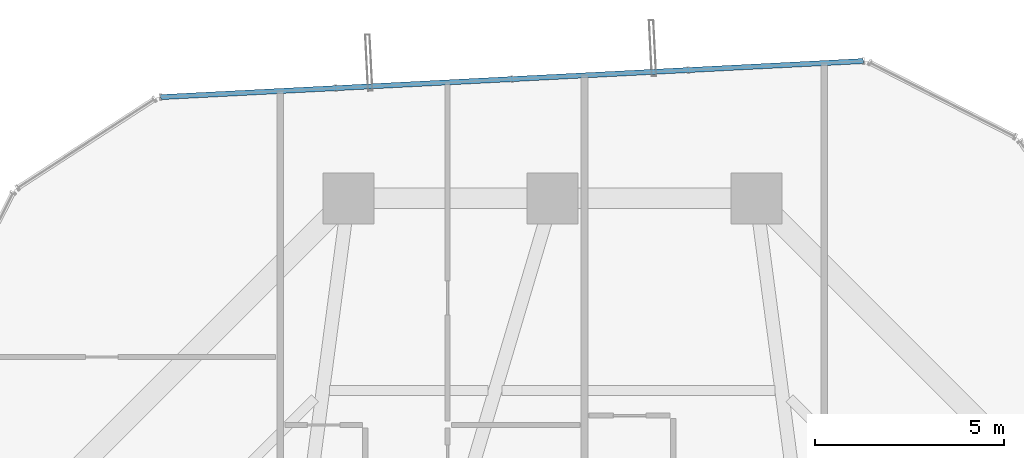
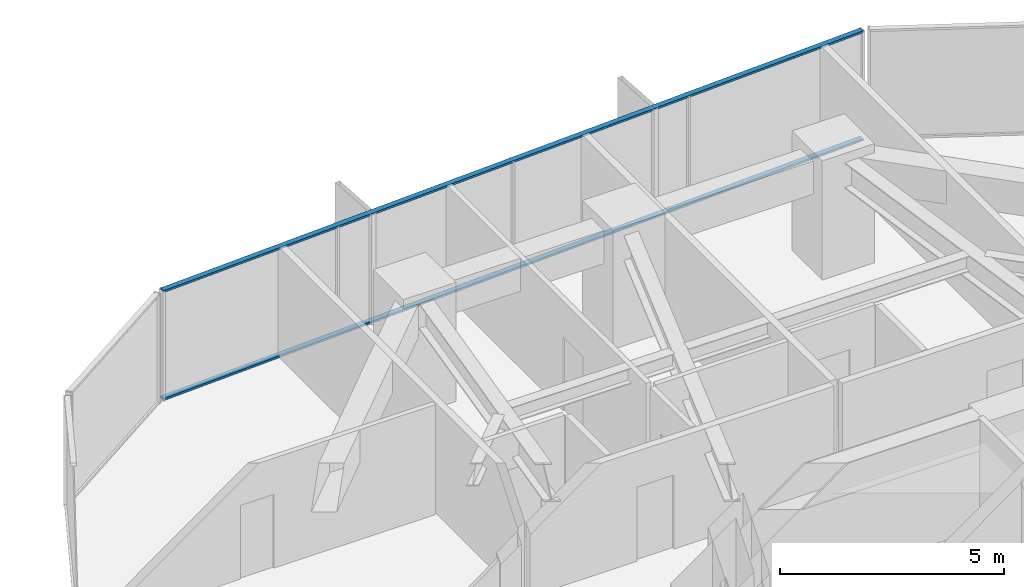
# One storey, part 26 of 37: 2 members, 1 element without a shape of its own.
"""IFC4 building model written with IfcOpenShell, lengths in metres."""

from ifc_helpers import new_model, si_unit, direction, frame, origin, origin_2d, place, context, subcontext, project, spatial, hollow_rectangle, extrude, source, transform, mapped, material, layer, layer_set, material_profile, profile_set, type_object, element, aggregate, save


model = new_model("IFC4")

# Units and contexts
model_context = context("Model", 3, precision=1e-05, world=origin(), true_north=direction((0.0, 1.0)))
body_context = subcontext(model_context, "Body", "Model", "MODEL_VIEW")
ifc_project = project(units=[si_unit("LENGTHUNIT", "METRE"), si_unit("AREAUNIT", "SQUARE_METRE"), si_unit("VOLUMEUNIT", "CUBIC_METRE"), si_unit("PLANEANGLEUNIT", "RADIAN"), si_unit("MASSUNIT", "GRAM", prefix="KILO")], contexts=[model_context])

# Site, building, storey
site_placement = place(None, origin())
site = spatial("IfcSite", under=ifc_project, at=site_placement, CompositionType="ELEMENT")
building_placement = place(site_placement, origin())
building = spatial("IfcBuilding", under=site, at=building_placement, Name="Veraguas Prism Commons", CompositionType="ELEMENT")
storey_placement = place(building_placement, frame((0.0, 0.0, 33.800048828125)))
storey = spatial("IfcBuildingStorey", under=building, at=storey_placement, Name="L08", CompositionType="ELEMENT", Elevation=33.800048828125)

# Curtain wall, members
ifc_material = material(Name="Anodised aluminium EN AW-6063 T6", Category="aluminium")
ifc_layer = layer(ifc_material, 0.169921875, Name="Unitised Flush Curtain Wall Zone 1", Category="aluminium")
ifc_layer_set = layer_set([ifc_layer], Name="Anodised aluminium EN AW-6063 T6")
curtain_wall_type = type_object("IfcCurtainWallType", Name="Unitised Flush Curtain Wall Zone 1", PredefinedType="NOTDEFINED", material=ifc_layer_set)
curtain_wall_placement = place(storey_placement, origin())
curtain_wall = element("IfcCurtainWall", 1, at=curtain_wall_placement, inside=storey, type_object=curtain_wall_type, Name="Tower Facade Curtain Wall L08-F2", PredefinedType="NOTDEFINED")
ifc_material_profile = material_profile(ifc_material, hollow_rectangle(XDim=0.054931640625, YDim=0.135009765625, WallThickness=0.0029296875, at=origin_2d()), Name="AL55X135X3")
ifc_profile_set = profile_set([ifc_material_profile], Name="Anodised aluminium EN AW-6063 T6")
member_type = type_object("IfcMemberType", Name="Curtain Wall Transom Standard AL 55x135x3", PredefinedType="USERDEFINED", material=ifc_profile_set)
shared_shape = source(origin(), body_context, "Body", "SweptSolid", [
    extrude(hollow_rectangle(XDim=0.054931640625, YDim=0.135009765625, WallThickness=0.0029296875, at=origin_2d()), origin(), (0.0, 0.0, 1.0), 18.623779296875),
])
member_1_placement = place(storey_placement, frame((32.233642578125, 45.23486328125, 0.02734375), z_axis=(-0.998683516902, -0.051295546272, 0.0), x_axis=(0.0, 0.0, 1.0)))
member_1 = element("IfcMember", 2, at=member_1_placement, type_object=member_type, Name="CW-Z1 Transom 1", ObjectType="TRANSOM", PredefinedType="USERDEFINED", context=body_context, shape_type="MappedRepresentation", body=[
    mapped(shared_shape, transform((0.0, 0.0, 0.0), scale=1.0)),
])
member_2_placement = place(storey_placement, frame((32.233642578125, 45.23486328125, 2.972412109375), z_axis=(-0.998683516902, -0.051295546272, 0.0), x_axis=(0.0, 0.0, 1.0)))
member_2 = element("IfcMember", 3, at=member_2_placement, type_object=member_type, Name="CW-Z1 Transom 2", ObjectType="TRANSOM", PredefinedType="USERDEFINED", context=body_context, shape_type="MappedRepresentation", body=[
    mapped(shared_shape, transform((0.0, 0.0, 0.0), scale=1.0)),
])
aggregate(curtain_wall, [member_1, member_2])

save(model, "model.ifc")
